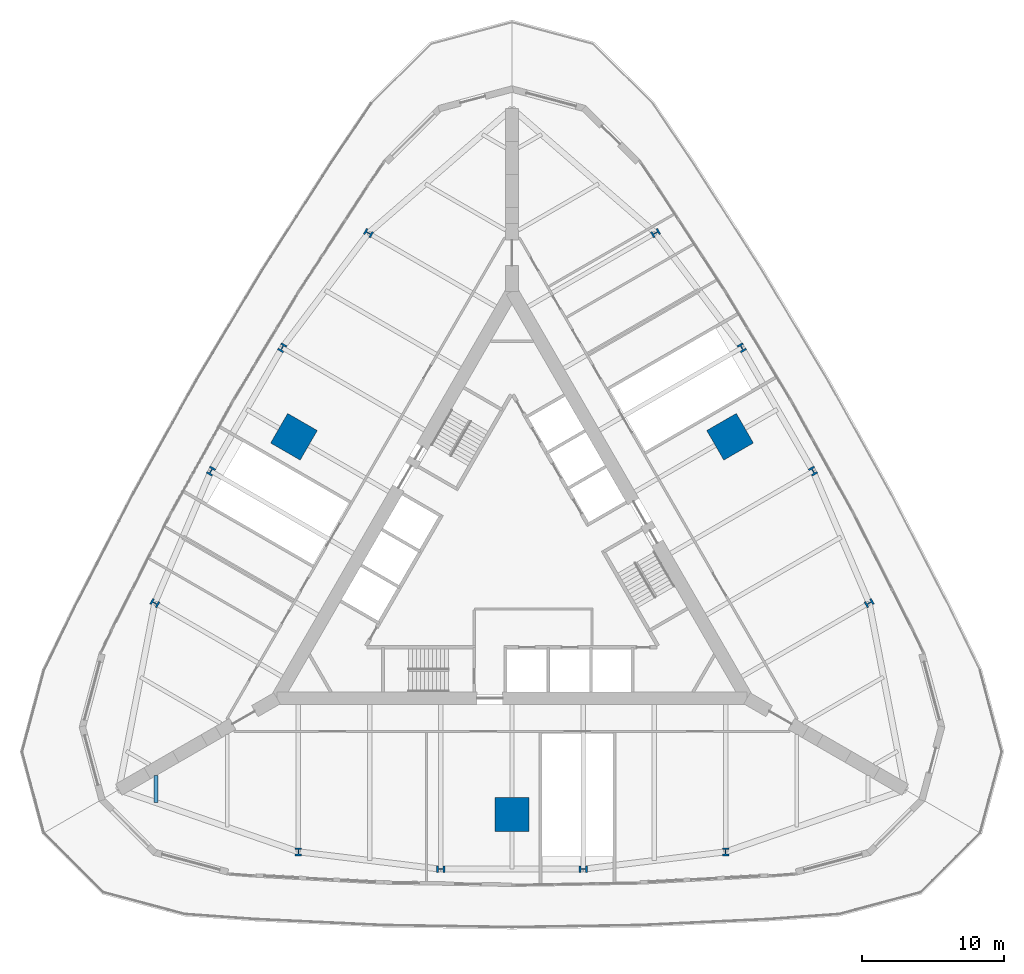
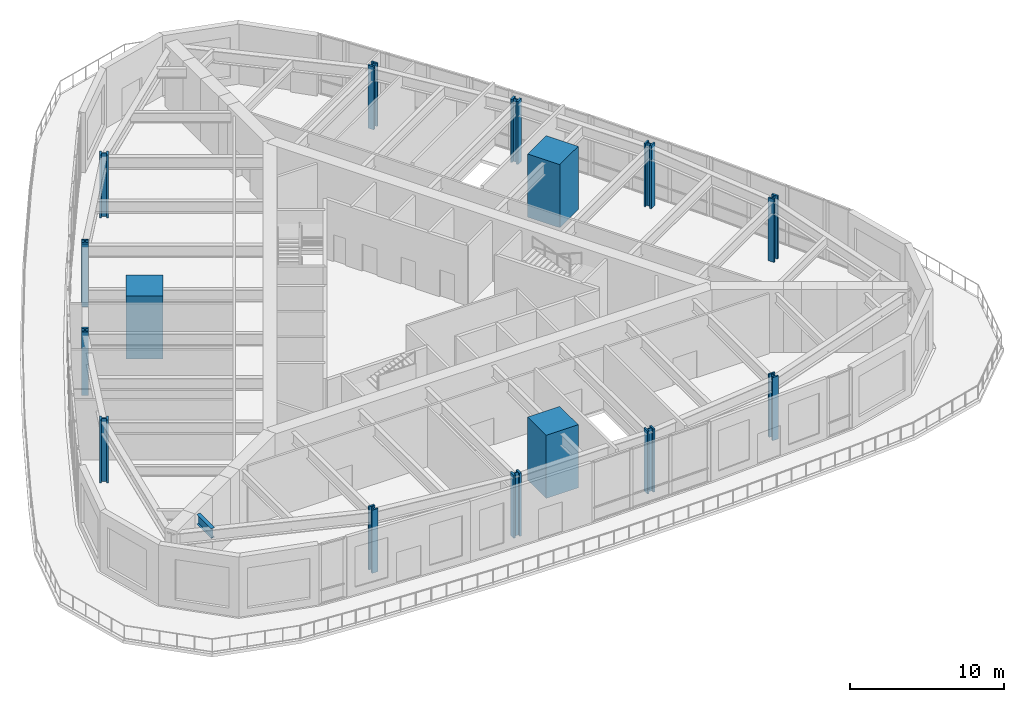
# One storey, part 1 of 13: 15 columns, 1 beam.
"""IFC4 building model written with IfcOpenShell, lengths in metres."""

import ifcopenshell
import ifcopenshell.guid

model = None  # the IFC model being written
_history = None  # IfcOwnerHistory: only IFC2X3 demands one
_inside = {}  # id of a spatial element -> (the spatial element, [elements in it])
_under = {}  # id of a project, library or spatial element -> (it, [spatial elements below it])
_declared = {}  # id of a project -> (the project, [libraries it declares])
_typed = {}  # id of a type object -> (the type object, [elements of that type])
_made_of = {}  # id of a material, layer set ... -> (it, [elements and type objects made of it])


def new_model(schema):
    """Start an empty IFC model of exactly this schema.

    Asked for "IFC4X3", IfcOpenShell would pick the latest addendum, in which some entities
    have other attributes; the version numbers below select the first issue.
    IFC2X3 requires an IfcOwnerHistory on every rooted entity: one is made here for all.
    """
    global model, _history
    if schema == "IFC4X3":
        model = ifcopenshell.file(schema_version=(4, 3, 0, 0))
    else:
        model = ifcopenshell.file(schema=schema)
    _inside.clear()
    _under.clear()
    _declared.clear()
    _typed.clear()
    _made_of.clear()
    _history = None
    if model.schema == "IFC2X3":
        org = make("IfcOrganization", Name="unknown")
        user = make(
            "IfcPersonAndOrganization",
            ThePerson=make("IfcPerson", FamilyName="unknown"),
            TheOrganization=org,
        )
        app = make(
            "IfcApplication",
            ApplicationDeveloper=org,
            Version="unknown",
            ApplicationFullName="unknown",
            ApplicationIdentifier="unknown",
        )
        _history = make(
            "IfcOwnerHistory",
            OwningUser=user,
            OwningApplication=app,
            ChangeAction="ADDED",
            CreationDate=0,
        )
    return model


def make(cls, **values):
    """One entity of the class cls with the attributes given. An attribute that is None is left unset."""
    return model.create_entity(
        cls, **{name: value for name, value in values.items() if value is not None}
    )


def rooted(cls, **values):
    """An entity with a GlobalId (a new one), such as an element, a storey or a relation."""
    return make(cls, GlobalId=ifcopenshell.guid.new(), OwnerHistory=_history, **values)


def si_unit(unit_type, name, prefix=None):
    """IfcSIUnit, for example si_unit("LENGTHUNIT", "METRE", prefix="MILLI")."""
    return make("IfcSIUnit", UnitType=unit_type, Prefix=prefix, Name=name)


def assignment(units):
    """IfcUnitAssignment: the units of a project."""
    return None if units is None else make("IfcUnitAssignment", Units=units)


def point(xyz):
    """IfcCartesianPoint."""
    return None if xyz is None else make("IfcCartesianPoint", Coordinates=xyz)


def direction(xyz):
    """IfcDirection."""
    return None if xyz is None else make("IfcDirection", DirectionRatios=xyz)


def frame(location, z_axis=None, x_axis=None):
    """IfcAxis2Placement3D, a coordinate frame: its origin and axes. An axis left out is left unset."""
    return make(
        "IfcAxis2Placement3D",
        Location=point(location),
        Axis=direction(z_axis),
        RefDirection=direction(x_axis),
    )


def frame_2d(location, x_axis=None):
    """IfcAxis2Placement2D, a coordinate frame in the plane: its origin and x axis."""
    return make(
        "IfcAxis2Placement2D", Location=point(location), RefDirection=direction(x_axis)
    )


def origin():
    """The frame at (0, 0, 0) with its axes left unset."""
    return frame((0.0, 0.0, 0.0))


def origin_2d():
    """The frame at (0, 0) in the plane with its x axis left unset."""
    return frame_2d((0.0, 0.0))


def place(relative_to, where):
    """IfcLocalPlacement: puts the frame where relative to a parent placement (None: the world)."""
    return make(
        "IfcLocalPlacement", PlacementRelTo=relative_to, RelativePlacement=where
    )


def context(
    kind, dimensions, precision=None, world=None, true_north=None, identifier=None
):
    """IfcGeometricRepresentationContext, for example the 3D "Model" context."""
    return make(
        "IfcGeometricRepresentationContext",
        ContextIdentifier=identifier,
        ContextType=kind,
        CoordinateSpaceDimension=dimensions,
        Precision=precision,
        WorldCoordinateSystem=world,
        TrueNorth=true_north,
    )


def subcontext(parent, identifier, kind, view, scale=None):
    """IfcGeometricRepresentationSubContext, for example "Body" below "Model"."""
    return make(
        "IfcGeometricRepresentationSubContext",
        ContextIdentifier=identifier,
        ContextType=kind,
        ParentContext=parent,
        TargetScale=scale,
        TargetView=view,
    )


def project(units=None, contexts=None):
    """IfcProject with its units and contexts."""
    return rooted(
        "IfcProject",
        Name="project",
        RepresentationContexts=contexts,
        UnitsInContext=assignment(units),
    )


def spatial(cls, under=None, at=None, **own):
    """A site, building, storey or space (cls), placed at a placement, below another one or the project."""
    s = rooted(cls, ObjectPlacement=at, **own)
    if under is not None:
        _under.setdefault(under.id(), (under, []))[1].append(s)
    return s


def profile(cls, at=None, kind="AREA", **sizes):
    """A parametric profile (cls). Its sizes go by their IFC names, for example OverallWidth=200.0."""
    return make(cls, ProfileType=kind, Position=at, **sizes)


def rectangle(**sizes):
    """IfcRectangleProfileDef."""
    return profile("IfcRectangleProfileDef", **sizes)


def i_section(**sizes):
    """IfcIShapeProfileDef."""
    return profile("IfcIShapeProfileDef", **sizes)


def extrude(swept, where, along, depth):
    """IfcExtrudedAreaSolid: the profile swept, set in the frame where, extruded along a direction by depth."""
    return make(
        "IfcExtrudedAreaSolid",
        SweptArea=swept,
        Position=where,
        ExtrudedDirection=direction(along),
        Depth=depth,
    )


def shape(context_of_items, identifier, shape_type, items):
    """IfcShapeRepresentation: the items that make up one representation, for example the "Body"."""
    return make(
        "IfcShapeRepresentation",
        ContextOfItems=context_of_items,
        RepresentationIdentifier=identifier,
        RepresentationType=shape_type,
        Items=items,
    )


def material(Name=None, Category=None):
    """IfcMaterial."""
    return make("IfcMaterial", Name=Name, Category=Category)


def material_profile(
    of_material, cross_section, Name=None, Category=None, Priority=None
):
    """IfcMaterialProfile: a cross section and its material."""
    return make(
        "IfcMaterialProfile",
        Name=Name,
        Material=of_material,
        Profile=cross_section,
        Priority=Priority,
        Category=Category,
    )


def profile_set(profiles, Name=None, composite=None):
    """IfcMaterialProfileSet."""
    return make(
        "IfcMaterialProfileSet",
        Name=Name,
        MaterialProfiles=profiles,
        CompositeProfile=composite,
    )


def made_of(thing, what):
    """Note that an element or type object is made of a material, layer set ...; save() writes the relation."""
    if what is not None:
        _made_of.setdefault(what.id(), (what, []))[1].append(thing)
    return thing


def type_object(cls, material=None, **own):
    """A type object (cls), such as IfcWallType, which elements share."""
    return made_of(rooted(cls, **own), material)


def element(
    cls,
    number,
    at=None,
    inside=None,
    cuts=None,
    type_object=None,
    material=None,
    context=None,
    identifier="Body",
    shape_type=None,
    held_by="IfcProductDefinitionShape",
    body=None,
    shapes=None,
    **own,
):
    """One element of the class cls, such as IfcWall. Its Tag is "e" and its number.

    at: its placement. inside: the storey or other place that contains it. cuts: it is an
    opening in that element (IfcRelVoidsElement). A single representation is given by context,
    identifier, shape_type and body (its items); several are given by shapes. held_by: the class
    of the entity that holds the representations. save() writes the other relations.
    """
    e = rooted(cls, Tag="e%d" % number, ObjectPlacement=at, **own)
    if body is not None:
        shapes = [shape(context, identifier, shape_type, body)]
    if shapes is not None:
        e.Representation = make(held_by, Representations=shapes)
    if inside is not None:
        _inside.setdefault(inside.id(), (inside, []))[1].append(e)
    if cuts is not None:
        rooted(
            "IfcRelVoidsElement", RelatingBuildingElement=cuts, RelatedOpeningElement=e
        )
    if type_object is not None:
        _typed.setdefault(type_object.id(), (type_object, []))[1].append(e)
    return made_of(e, material)


def aggregate(whole, parts):
    """IfcRelAggregates: a whole, such as a stair, and the parts it consists of."""
    return rooted("IfcRelAggregates", RelatingObject=whole, RelatedObjects=parts)


def save(model, path):
    """Write the relations noted so far, then the file.

    IfcRelAggregates (storeys below a building ...), IfcRelContainedInSpatialStructure (elements
    in a storey), IfcRelDefinesByType, IfcRelAssociatesMaterial and IfcRelDeclares: one each for
    every whole, place, type object, material and project.
    """
    for whole, parts in _under.values():
        aggregate(whole, parts)
    for where, things in _inside.values():
        rooted(
            "IfcRelContainedInSpatialStructure",
            RelatedElements=things,
            RelatingStructure=where,
        )
    for kind, things in _typed.values():
        rooted("IfcRelDefinesByType", RelatedObjects=things, RelatingType=kind)
    for what, things in _made_of.values():
        rooted("IfcRelAssociatesMaterial", RelatedObjects=things, RelatingMaterial=what)
    for by, libraries in _declared.values():
        rooted("IfcRelDeclares", RelatingContext=by, RelatedDefinitions=libraries)
    model.write(path)


model = new_model("IFC4")

# Units and contexts
model_context = context("Model", 3, precision=1e-05, world=origin(), true_north=direction((0.0, 1.0)))
body_context = subcontext(model_context, "Body", "Model", "MODEL_VIEW")
ifc_project = project(units=[si_unit("LENGTHUNIT", "METRE"), si_unit("AREAUNIT", "SQUARE_METRE"), si_unit("VOLUMEUNIT", "CUBIC_METRE"), si_unit("PLANEANGLEUNIT", "RADIAN"), si_unit("MASSUNIT", "GRAM", prefix="KILO")], contexts=[model_context])

# Site, building, storey
site_placement = place(None, origin())
site = spatial("IfcSite", under=ifc_project, at=site_placement, CompositionType="ELEMENT")
building_placement = place(site_placement, origin())
building = spatial("IfcBuilding", under=site, at=building_placement, Name="Trikona Tower", CompositionType="ELEMENT")
storey_placement = place(building_placement, frame((0.0, 0.0, 17.5)))
storey = spatial("IfcBuildingStorey", under=building, at=storey_placement, Name="L03", CompositionType="ELEMENT", Elevation=17.5)

# Columns
ifc_material_1 = material(Name="Concrete f'c 10000 psi with encased steel section", Category="concrete")
ifc_material_profile_1 = material_profile(ifc_material_1, rectangle(XDim=2.39990234375, YDim=2.39990234375, at=origin_2d()), Name="MC2400")
ifc_profile_set_1 = profile_set([ifc_material_profile_1], Name="Concrete f'c 10000 psi with encased steel section")
column_type_1 = type_object("IfcColumnType", Name="Composite mega column 2400x2400", PredefinedType="COLUMN", material=ifc_profile_set_1)
for number, where, z_axis, x_axis, name in (
    (1, (0.0, -17.680419921875, 0.0), (0.0, 0.0, 1.0), (0.0, -1.0, 0.0), "Mega column MC1"),
    (2, (15.311767578125, 8.84033203125, 0.0), (0.0, 0.0, 1.0), (0.866025403784, 0.5, 0.0), "Mega column MC2"),
    (3, (-15.311767578125, 8.84033203125, 0.0), (0.0, 0.0, 1.0), (-0.866025403784, 0.5, 0.0), "Mega column MC3"),
):
    element("IfcColumn", number, at=place(storey_placement, frame(where, z_axis=z_axis, x_axis=x_axis)), inside=storey, type_object=column_type_1, Name=name, PredefinedType="COLUMN", context=body_context, shape_type="SweptSolid", body=[
        extrude(rectangle(XDim=2.39990234375, YDim=2.39990234375, at=origin_2d()), origin(), (0.0, 0.0, 1.0), 5.0),
    ])
ifc_material_2 = material(Name="Steel ASTM A992 Grade 50", Category="steel")
ifc_material_profile_2 = material_profile(ifc_material_2, i_section(OverallWidth=0.45458984375, OverallDepth=0.56884765625, WebThickness=0.077880859375, FlangeThickness=0.124755859375, at=origin_2d()), Name="W14X730")
ifc_profile_set_2 = profile_set([ifc_material_profile_2], Name="Steel ASTM A992 Grade 50")
column_type_2 = type_object("IfcColumnType", Name="Steel column W14x730", PredefinedType="COLUMN", material=ifc_profile_set_2)
for number, where, z_axis, x_axis, name in (
    (4, (-15.0, -20.302978515625, 0.0), (0.0, 0.0, 1.0), (1.0, 0.0, 0.0), "Column F0m15"),
    (5, (-5.0, -21.5205078125, 0.0), (0.0, 0.0, 1.0), (0.0, -1.0, 0.0), "Column F0m5"),
    (6, (5.0, -21.5205078125, 0.0), (0.0, 0.0, 1.0), (0.0, -1.0, 0.0), "Column F0p5"),
    (7, (15.0, -20.302978515625, 0.0), (0.0, 0.0, 1.0), (1.0, 0.0, 0.0), "Column F0p15"),
    (8, (25.0830078125, -2.8388671875, 0.0), (0.0, 0.0, 1.0), (-0.5, 0.866025403784, 0.0), "Column F1m15"),
    (9, (21.13720703125, 6.43017578125, 0.0), (0.0, 0.0, 1.0), (0.866025403784, 0.5, 0.0), "Column F1m5"),
    (10, (16.13720703125, 15.09033203125, 0.0), (0.0, 0.0, 1.0), (0.866025403784, 0.5, 0.0), "Column F1p5"),
    (11, (10.0830078125, 23.141845703125, 0.0), (0.0, 0.0, 1.0), (-0.5, 0.866025403784, 0.0), "Column F1p15"),
    (12, (-10.0830078125, 23.141845703125, 0.0), (0.0, 0.0, 1.0), (-0.5, -0.866025403784, 0.0), "Column F2m15"),
    (13, (-16.13720703125, 15.09033203125, 0.0), (0.0, 0.0, 1.0), (-0.866025403784, 0.5, 0.0), "Column F2m5"),
    (14, (-21.13720703125, 6.43017578125, 0.0), (0.0, 0.0, 1.0), (-0.866025403784, 0.5, 0.0), "Column F2p5"),
    (15, (-25.0830078125, -2.8388671875, 0.0), (0.0, 0.0, 1.0), (-0.5, -0.866025403784, 0.0), "Column F2p15"),
):
    element("IfcColumn", number, at=place(storey_placement, frame(where, z_axis=z_axis, x_axis=x_axis)), inside=storey, type_object=column_type_2, Name=name, PredefinedType="COLUMN", context=body_context, shape_type="SweptSolid", body=[
        extrude(i_section(OverallWidth=0.45458984375, OverallDepth=0.56884765625, WebThickness=0.077880859375, FlangeThickness=0.124755859375, at=origin_2d()), origin(), (0.0, 0.0, 1.0), 5.0),
    ])

# Beam
ifc_material_3 = material(Name="Steel ASTM A992 Grade 50", Category="steel")
ifc_material_profile_3 = material_profile(ifc_material_3, i_section(OverallWidth=0.2666015625, OverallDepth=0.76953125, WebThickness=0.015625, FlangeThickness=0.025390625, at=origin_2d()), Name="W30X132")
ifc_profile_set_3 = profile_set([ifc_material_profile_3], Name="Steel ASTM A992 Grade 50")
beam_type = type_object("IfcBeamType", Name="Steel beam W30x132 (wedge)", PredefinedType="BEAM", material=ifc_profile_set_3)
beam_placement = place(storey_placement, frame((-25.0, -14.953369140625, 4.365234375), z_axis=(0.0, -1.0, 0.0), x_axis=(1.0, 0.0, 0.0)))
element("IfcBeam", 16, at=beam_placement, inside=storey, type_object=beam_type, Name="Floor beam L04 F1 u-25", PredefinedType="BEAM", context=body_context, shape_type="SweptSolid", body=[
    extrude(i_section(OverallWidth=0.2666015625, OverallDepth=0.76953125, WebThickness=0.015625, FlangeThickness=0.025390625, at=origin_2d()), origin(), (0.0, 0.0, 1.0), 1.890380859375),
])

save(model, "model.ifc")
